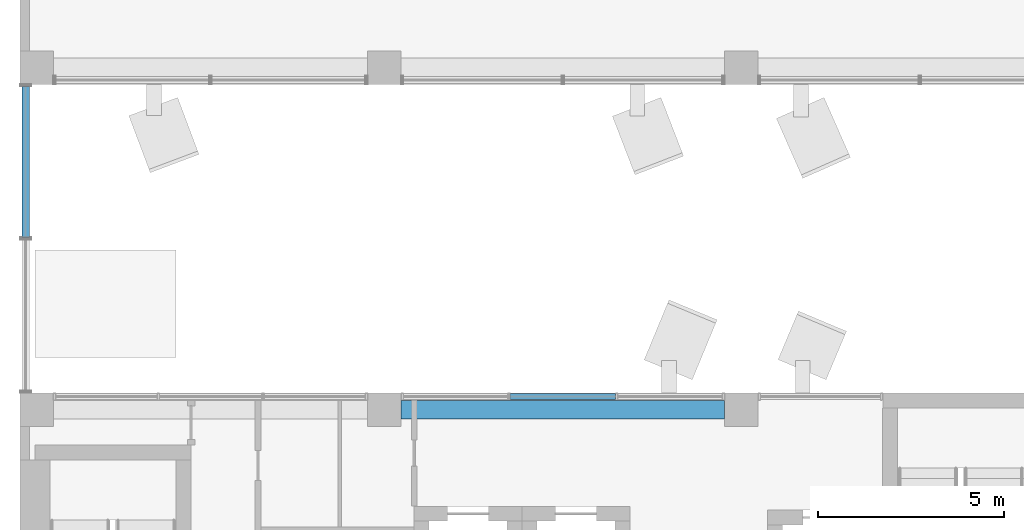
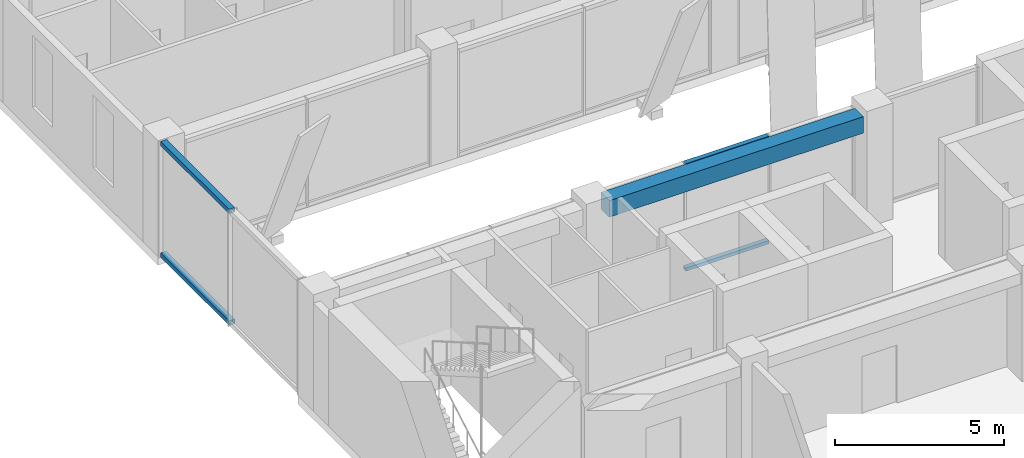
# One storey, part 7 of 36: 4 members, 1 beam, 2 elements without a shape of their own.
"""IFC4 building model written with IfcOpenShell, lengths in metres."""

from ifc_helpers import new_model, si_unit, direction, frame, origin, origin_2d, place, context, subcontext, project, spatial, rectangle, hollow_rectangle, extrude, material, layer, layer_set, material_profile, profile_set, type_object, element, aggregate, save


model = new_model("IFC4")

# Units and contexts
model_context = context("Model", 3, precision=1e-05, world=origin(), true_north=direction((0.0, 1.0)))
body_context = subcontext(model_context, "Body", "Model", "MODEL_VIEW")
ifc_project = project(units=[si_unit("LENGTHUNIT", "METRE"), si_unit("AREAUNIT", "SQUARE_METRE"), si_unit("VOLUMEUNIT", "CUBIC_METRE"), si_unit("PLANEANGLEUNIT", "RADIAN"), si_unit("MASSUNIT", "GRAM", prefix="KILO")], contexts=[model_context])

# Site, building, storey
site_placement = place(None, origin())
site = spatial("IfcSite", under=ifc_project, at=site_placement, CompositionType="ELEMENT")
building_placement = place(site_placement, origin())
building = spatial("IfcBuilding", under=site, at=building_placement, Name="Nzadi Deep Aquarium and Research Tower", CompositionType="ELEMENT")
storey_placement = place(building_placement, frame((0.0, 0.0, 36.10009765625)))
storey = spatial("IfcBuildingStorey", under=building, at=storey_placement, Name="L06", CompositionType="ELEMENT", Elevation=36.10009765625)

# Beam
ifc_material_1 = material(Name="Concrete C35/45", Category="concrete")
ifc_material_profile_1 = material_profile(ifc_material_1, rectangle(XDim=0.5, YDim=0.60009765625, at=origin_2d()))
ifc_profile_set_1 = profile_set([ifc_material_profile_1], Name="Concrete C35/45")
beam_type = type_object("IfcBeamType", Name="RC 500x600", PredefinedType="BEAM", material=ifc_profile_set_1)
beam_placement = place(storey_placement, frame((10.050048828125, 18.39990234375, 3.599853515625), z_axis=(1.0, 0.0, 0.0), x_axis=(0.0, 1.0, 0.0)))
element("IfcBeam", 1, at=beam_placement, inside=storey, type_object=beam_type, Name="B-Z1-L06-L3-2", PredefinedType="BEAM", context=body_context, shape_type="SweptSolid", body=[
    extrude(rectangle(XDim=0.5, YDim=0.60009765625, at=origin_2d()), origin(), (0.0, 0.0, 1.0), 8.699951171875),
])

# Curtain wall, members
ifc_material_2 = material(Name="Aluminium unitised frame", Category="aluminium")
ifc_layer_1 = layer(ifc_material_2, 0.199951171875)
ifc_layer_set_1 = layer_set([ifc_layer_1], Name="Aluminium unitised frame")
curtain_wall_type_1 = type_object("IfcCurtainWallType", Name="Curtain wall Unitised 200", PredefinedType="NOTDEFINED", material=ifc_layer_set_1)
curtain_wall_1_placement = place(storey_placement, origin())
curtain_wall_1 = element("IfcCurtainWall", 2, at=curtain_wall_1_placement, inside=storey, type_object=curtain_wall_type_1, Name="Unitised curtain wall blade A north L06", PredefinedType="NOTDEFINED")
ifc_material_3 = material(Name="Aluminium unitised frame", Category="aluminium")
ifc_material_profile_2 = material_profile(ifc_material_3, hollow_rectangle(XDim=0.159912109375, YDim=0.1201171875, WallThickness=0.0048828125, at=origin_2d()))
ifc_profile_set_2 = profile_set([ifc_material_profile_2], Name="Aluminium unitised frame")
member_type_1 = type_object("IfcMemberType", Name="Transom 120x160 Unitised", PredefinedType="MULLION", material=ifc_profile_set_2)
member_1_placement = place(storey_placement, frame((12.97998046875, 18.75, 0.059814453125), z_axis=(1.0, 0.0, 0.0), x_axis=(0.0, 1.0, 0.0)))
member_1 = element("IfcMember", 3, at=member_1_placement, type_object=member_type_1, Name="CW010 transom 2.1", PredefinedType="MULLION", context=body_context, shape_type="SweptSolid", body=[
    extrude(hollow_rectangle(XDim=0.159912109375, YDim=0.1201171875, WallThickness=0.0048828125, at=origin_2d()), origin(), (0.0, 0.0, 1.0), 2.840087890625),
])
member_2_placement = place(storey_placement, frame((12.97998046875, 18.75, 3.83984375), z_axis=(1.0, 0.0, 0.0), x_axis=(0.0, 1.0, 0.0)))
member_2 = element("IfcMember", 4, at=member_2_placement, type_object=member_type_1, Name="CW010 transom 2.2", PredefinedType="MULLION", context=body_context, shape_type="SweptSolid", body=[
    extrude(hollow_rectangle(XDim=0.159912109375, YDim=0.1201171875, WallThickness=0.0048828125, at=origin_2d()), origin(), (0.0, 0.0, 1.0), 2.840087890625),
])
aggregate(curtain_wall_1, [member_1, member_2])

ifc_material_4 = material(Name="Aluminium unitised frame wind post", Category="aluminium")
ifc_layer_2 = layer(ifc_material_4, 0.300048828125)
ifc_layer_set_2 = layer_set([ifc_layer_2], Name="Aluminium unitised frame wind post")
curtain_wall_type_2 = type_object("IfcCurtainWallType", Name="Curtain wall Slot End 300", PredefinedType="NOTDEFINED", material=ifc_layer_set_2)
curtain_wall_2_placement = place(storey_placement, origin())
curtain_wall_2 = element("IfcCurtainWall", 5, at=curtain_wall_2_placement, inside=storey, type_object=curtain_wall_type_2, Name="Glazed slot end west L06", PredefinedType="NOTDEFINED")
ifc_material_5 = material(Name="Aluminium unitised frame wind post", Category="aluminium")
ifc_material_profile_3 = material_profile(ifc_material_5, hollow_rectangle(XDim=0.199951171875, YDim=0.159912109375, WallThickness=0.0048828125, at=origin_2d()))
ifc_profile_set_3 = profile_set([ifc_material_profile_3], Name="Aluminium unitised frame wind post")
member_type_2 = type_object("IfcMemberType", Name="Transom 160x200 Slot End", PredefinedType="MULLION", material=ifc_profile_set_3)
member_3_placement = place(storey_placement, frame((-0.050048828125, 23.030029296875, 0.079833984375), z_axis=(0.0, 1.0, 0.0), x_axis=(-1.0, 0.0, 0.0)))
member_3 = element("IfcMember", 6, at=member_3_placement, type_object=member_type_2, Name="CW203 transom 2.1", PredefinedType="MULLION", context=body_context, shape_type="SweptSolid", body=[
    extrude(hollow_rectangle(XDim=0.199951171875, YDim=0.159912109375, WallThickness=0.0048828125, at=origin_2d()), origin(), (0.0, 0.0, 1.0), 4.06005859375),
])
member_4_placement = place(storey_placement, frame((-0.050048828125, 23.030029296875, 4.119873046875), z_axis=(0.0, 1.0, 0.0), x_axis=(-1.0, 0.0, 0.0)))
member_4 = element("IfcMember", 7, at=member_4_placement, type_object=member_type_2, Name="CW203 transom 2.2", PredefinedType="MULLION", context=body_context, shape_type="SweptSolid", body=[
    extrude(hollow_rectangle(XDim=0.199951171875, YDim=0.159912109375, WallThickness=0.0048828125, at=origin_2d()), origin(), (0.0, 0.0, 1.0), 4.06005859375),
])
aggregate(curtain_wall_2, [member_3, member_4])

save(model, "model.ifc")
